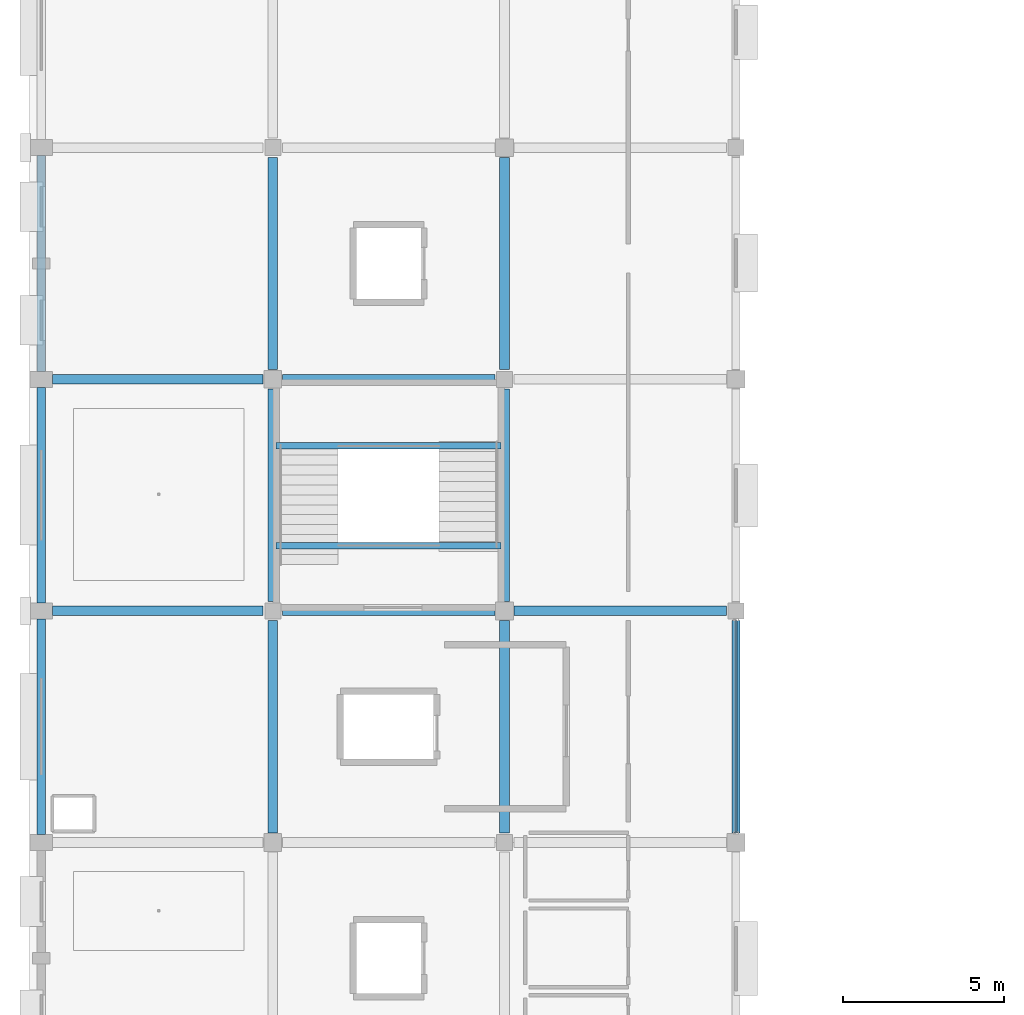
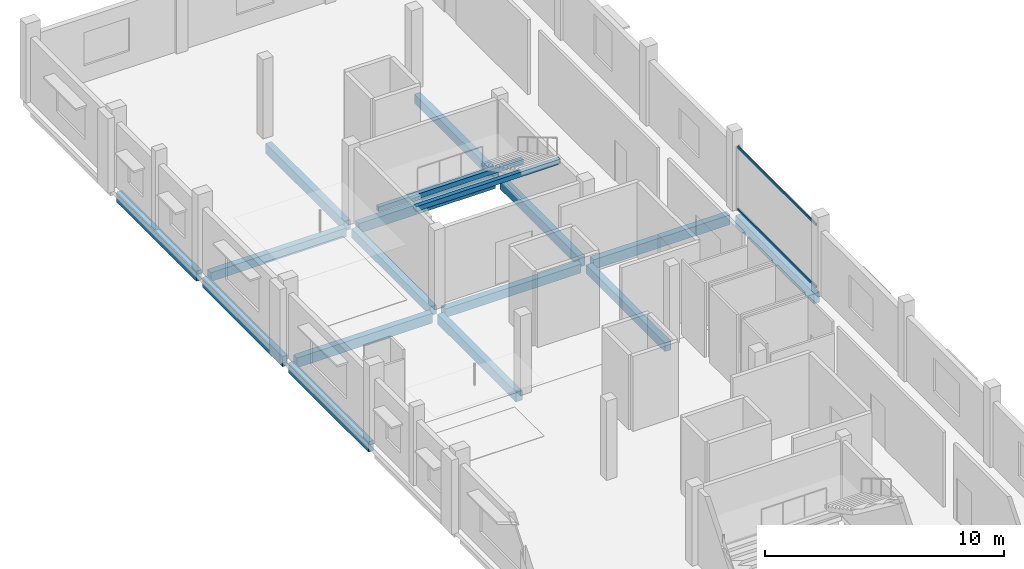
# One storey, part 3 of 15: 17 beams, 2 members, 1 element without a shape of its own.
"""IFC4 building model written with IfcOpenShell, lengths in metres."""

from ifc_helpers import new_model, si_unit, direction, frame, origin, origin_2d, place, context, subcontext, project, spatial, rectangle, hollow_rectangle, extrude, material, layer, layer_set, material_profile, profile_set, type_object, element, aggregate, save


model = new_model("IFC4")

# Units and contexts
model_context = context("Model", 3, precision=1e-05, world=origin(), true_north=direction((0.0, 1.0)))
body_context = subcontext(model_context, "Body", "Model", "MODEL_VIEW")
ifc_project = project(units=[si_unit("LENGTHUNIT", "METRE"), si_unit("AREAUNIT", "SQUARE_METRE"), si_unit("VOLUMEUNIT", "CUBIC_METRE"), si_unit("PLANEANGLEUNIT", "RADIAN"), si_unit("MASSUNIT", "GRAM", prefix="KILO")], contexts=[model_context])

# Site, building, storey
site_placement = place(None, origin())
site = spatial("IfcSite", under=ifc_project, at=site_placement, CompositionType="ELEMENT")
building_placement = place(site_placement, origin())
building = spatial("IfcBuilding", under=site, at=building_placement, Name="Kangsadwip Square Police Headquarters", CompositionType="ELEMENT")
storey_placement = place(building_placement, frame((0.0, 0.0, 29.699951171875)))
storey = spatial("IfcBuildingStorey", under=building, at=storey_placement, Name="L07", CompositionType="ELEMENT", Elevation=29.699951171875)

# Curtain wall, members
ifc_material_1 = material(Name="Thermally broken anodised aluminium AW-6063-T6", Category="aluminium")
ifc_layer = layer(ifc_material_1, 0.159912109375)
ifc_layer_set = layer_set([ifc_layer], Name="Thermally broken anodised aluminium AW-6063-T6")
curtain_wall_type = type_object("IfcCurtainWallType", Name="CourtScreen6685x3300", PredefinedType="USERDEFINED", material=ifc_layer_set)
curtain_wall_placement = place(storey_placement, origin())
curtain_wall = element("IfcCurtainWall", 1, at=curtain_wall_placement, inside=storey, type_object=curtain_wall_type, Name="Curtain Wall CW-L07-0216-0651", ObjectType="GLAZED_SCREEN", PredefinedType="USERDEFINED")
ifc_material_2 = material(Name="Thermally broken anodised aluminium AW-6063-T6", Category="aluminium")
ifc_material_profile_1 = material_profile(ifc_material_2, hollow_rectangle(XDim=0.06005859375, YDim=0.1201171875, WallThickness=0.00390625, at=origin_2d()), Name="CWT 120X60X4")
ifc_profile_set_1 = profile_set([ifc_material_profile_1], Name="Thermally broken anodised aluminium AW-6063-T6")
member_type = type_object("IfcMemberType", Name="CwTransom120x55", PredefinedType="USERDEFINED", material=ifc_profile_set_1)
member_1_placement = place(storey_placement, frame((21.60009765625, 65.1298828125, 0.06005859375), z_axis=(0.0, 1.0, 0.0), x_axis=(-1.0, 0.0, 0.0)))
member_1 = element("IfcMember", 2, at=member_1_placement, type_object=member_type, Name="CW-53 transom 1.1", ObjectType="TRANSOM", PredefinedType="USERDEFINED", context=body_context, shape_type="SweptSolid", body=[
    extrude(hollow_rectangle(XDim=0.06005859375, YDim=0.1201171875, WallThickness=0.00390625, at=origin_2d()), origin(), (0.0, 0.0, 1.0), 6.565185546875),
])
member_2_placement = place(storey_placement, frame((21.60009765625, 65.1298828125, 3.239990234375), z_axis=(0.0, 1.0, 0.0), x_axis=(-1.0, 0.0, 0.0)))
member_2 = element("IfcMember", 3, at=member_2_placement, type_object=member_type, Name="CW-53 transom 1.2", ObjectType="TRANSOM", PredefinedType="USERDEFINED", context=body_context, shape_type="SweptSolid", body=[
    extrude(hollow_rectangle(XDim=0.06005859375, YDim=0.1201171875, WallThickness=0.00390625, at=origin_2d()), origin(), (0.0, 0.0, 1.0), 6.565185546875),
])
aggregate(curtain_wall, [member_1, member_2])

# Beams
ifc_material_3 = material(Name="Concrete M35 (35 MPa)", Category="concrete")
ifc_material_profile_2 = material_profile(ifc_material_3, rectangle(XDim=0.300048828125, YDim=0.449951171875, at=origin_2d()), Name="RC BM 450X300")
ifc_profile_set_2 = profile_set([ifc_material_profile_2], Name="Concrete M35 (35 MPa)")
beam_type_1 = type_object("IfcBeamType", Name="RcBeam450x300", PredefinedType="BEAM", material=ifc_profile_set_2)
beam_1_placement = place(storey_placement, frame((7.5, 72.0, -0.445068359375), z_axis=(1.0, 0.0, 0.0), x_axis=(0.0, 1.0, 0.0)))
element("IfcBeam", 4, at=beam_1_placement, inside=storey, type_object=beam_type_1, Name="Beam BM-L07-X-01-10", PredefinedType="BEAM", context=body_context, shape_type="SweptSolid", body=[
    extrude(rectangle(XDim=0.300048828125, YDim=0.449951171875, at=origin_2d()), origin(), (0.0, 0.0, 1.0), 6.60009765625),
])
beam_2_placement = place(storey_placement, frame((0.35009765625, 79.199951171875, -0.445068359375), z_axis=(1.0, 0.0, 0.0), x_axis=(0.0, 1.0, 0.0)))
element("IfcBeam", 5, at=beam_2_placement, inside=storey, type_object=beam_type_1, Name="Beam BM-L07-X-00-11", PredefinedType="BEAM", context=body_context, shape_type="SweptSolid", body=[
    extrude(rectangle(XDim=0.300048828125, YDim=0.449951171875, at=origin_2d()), origin(), (0.0, 0.0, 1.0), 6.5498046875),
])
for number, where, z_axis, x_axis, name in (
    (6, (7.199951171875, 72.300048828125, -0.445068359375), (0.0, 1.0, 0.0), (-1.0, 0.0, 0.0), "Beam BM-L07-Y-01-10"),
    (7, (14.39990234375, 65.10009765625, -0.445068359375), (0.0, 1.0, 0.0), (-1.0, 0.0, 0.0), "Beam BM-L07-Y-02-09"),
):
    element("IfcBeam", number, at=place(storey_placement, frame(where, z_axis=z_axis, x_axis=x_axis)), inside=storey, type_object=beam_type_1, Name=name, PredefinedType="BEAM", context=body_context, shape_type="SweptSolid", body=[
        extrude(rectangle(XDim=0.300048828125, YDim=0.449951171875, at=origin_2d()), origin(), (0.0, 0.0, 1.0), 6.599853515625),
    ])
beam_3_placement = place(storey_placement, frame((14.39990234375, 79.5, -0.445068359375), z_axis=(0.0, 1.0, 0.0), x_axis=(-1.0, 0.0, 0.0)))
element("IfcBeam", 8, at=beam_3_placement, inside=storey, type_object=beam_type_1, Name="Beam BM-L07-Y-02-11", PredefinedType="BEAM", context=body_context, shape_type="SweptSolid", body=[
    extrude(rectangle(XDim=0.300048828125, YDim=0.449951171875, at=origin_2d()), origin(), (0.0, 0.0, 1.0), 6.60009765625),
])
ifc_material_4 = material(Name="Concrete M35 (35 MPa)", Category="concrete")
ifc_material_profile_3 = material_profile(ifc_material_4, rectangle(XDim=0.300048828125, YDim=0.5, at=origin_2d()), Name="RC BM 500X300")
ifc_profile_set_3 = profile_set([ifc_material_profile_3], Name="Concrete M35 (35 MPa)")
beam_type_2 = type_object("IfcBeamType", Name="RcBeam500x300", PredefinedType="BEAM", material=ifc_profile_set_3)
beam_4_placement = place(storey_placement, frame((0.35009765625, 72.0, -0.469970703125), z_axis=(1.0, 0.0, 0.0), x_axis=(0.0, 1.0, 0.0)))
element("IfcBeam", 9, at=beam_4_placement, inside=storey, type_object=beam_type_2, Name="Beam BM-L07-X-00-10", PredefinedType="BEAM", context=body_context, shape_type="SweptSolid", body=[
    extrude(rectangle(XDim=0.300048828125, YDim=0.5, at=origin_2d()), origin(), (0.0, 0.0, 1.0), 6.5498046875),
])
for number, where, z_axis, x_axis, name in (
    (10, (14.699951171875, 72.0, -0.469970703125), (1.0, 0.0, 0.0), (0.0, 1.0, 0.0), "Beam BM-L07-X-02-10"),
    (11, (7.5, 79.199951171875, -0.469970703125), (1.0, 0.0, 0.0), (0.0, 1.0, 0.0), "Beam BM-L07-X-01-11"),
):
    element("IfcBeam", number, at=place(storey_placement, frame(where, z_axis=z_axis, x_axis=x_axis)), inside=storey, type_object=beam_type_2, Name=name, PredefinedType="BEAM", context=body_context, shape_type="SweptSolid", body=[
        extrude(rectangle(XDim=0.300048828125, YDim=0.5, at=origin_2d()), origin(), (0.0, 0.0, 1.0), 6.60009765625),
    ])
beam_5_placement = place(storey_placement, frame((7.199951171875, 65.10009765625, -0.469970703125), z_axis=(0.0, 1.0, 0.0), x_axis=(-1.0, 0.0, 0.0)))
element("IfcBeam", 12, at=beam_5_placement, inside=storey, type_object=beam_type_2, Name="Beam BM-L07-Y-01-09", PredefinedType="BEAM", context=body_context, shape_type="SweptSolid", body=[
    extrude(rectangle(XDim=0.300048828125, YDim=0.5, at=origin_2d()), origin(), (0.0, 0.0, 1.0), 6.599853515625),
])
beam_6_placement = place(storey_placement, frame((7.199951171875, 79.5, -0.469970703125), z_axis=(0.0, 1.0, 0.0), x_axis=(-1.0, 0.0, 0.0)))
element("IfcBeam", 13, at=beam_6_placement, inside=storey, type_object=beam_type_2, Name="Beam BM-L07-Y-01-11", PredefinedType="BEAM", context=body_context, shape_type="SweptSolid", body=[
    extrude(rectangle(XDim=0.300048828125, YDim=0.5, at=origin_2d()), origin(), (0.0, 0.0, 1.0), 6.60009765625),
])
beam_7_placement = place(storey_placement, frame((14.39990234375, 72.300048828125, -0.469970703125), z_axis=(0.0, 1.0, 0.0), x_axis=(-1.0, 0.0, 0.0)))
element("IfcBeam", 14, at=beam_7_placement, inside=storey, type_object=beam_type_2, Name="Beam BM-L07-Y-02-10", PredefinedType="BEAM", context=body_context, shape_type="SweptSolid", body=[
    extrude(rectangle(XDim=0.300048828125, YDim=0.5, at=origin_2d()), origin(), (0.0, 0.0, 1.0), 6.599853515625),
])
ifc_material_5 = material(Name="Concrete M30 (30 MPa)", Category="concrete")
ifc_material_profile_4 = material_profile(ifc_material_5, rectangle(XDim=0.199951171875, YDim=0.25, at=origin_2d()), Name="RC LNT 250X200")
ifc_profile_set_4 = profile_set([ifc_material_profile_4], Name="Concrete M30 (30 MPa)")
beam_type_3 = type_object("IfcBeamType", Name="RcLintel250x200", PredefinedType="LINTEL", material=ifc_profile_set_4)
for number, where, z_axis, x_axis, name in (
    (15, (7.300048828125, 77.139892578125, 1.801025390625), (1.0, 0.0, 0.0), (0.0, 1.0, 0.0), "Stair Carriage and Landing Beam BM-ST-L07-037"),
    (16, (7.300048828125, 74.02001953125, 3.705078125), (1.0, 0.0, 0.0), (0.0, 1.0, 0.0), "Stair Carriage and Landing Beam BM-ST-L07-038"),
):
    element("IfcBeam", number, at=place(storey_placement, frame(where, z_axis=z_axis, x_axis=x_axis)), inside=storey, type_object=beam_type_3, Name=name, PredefinedType="BEAM", context=body_context, shape_type="SweptSolid", body=[
        extrude(rectangle(XDim=0.199951171875, YDim=0.25, at=origin_2d()), origin(), (0.0, 0.0, 1.0), 7.0),
    ])
ifc_material_6 = material(Name="Concrete M35 (35 MPa)", Category="concrete")
ifc_material_profile_5 = material_profile(ifc_material_6, rectangle(XDim=0.25, YDim=0.52001953125, at=origin_2d()), Name="RC SPN 520X250")
ifc_profile_set_5 = profile_set([ifc_material_profile_5], Name="Concrete M35 (35 MPa)")
beam_type_4 = type_object("IfcBeamType", Name="RcSpandrel520x250", PredefinedType="SPANDREL", material=ifc_profile_set_5)
for number, where, z_axis, x_axis, name in (
    (17, (0.0, 65.050048828125, -0.47998046875), (0.0, 1.0, 0.0), (-1.0, 0.0, 0.0), "Beam BM-L07-Y-00-09"),
    (18, (0.0, 72.25, -0.47998046875), (0.0, 1.0, 0.0), (-1.0, 0.0, 0.0), "Beam BM-L07-Y-00-10"),
    (19, (0.0, 79.449951171875, -0.47998046875), (0.0, 1.0, 0.0), (-1.0, 0.0, 0.0), "Beam BM-L07-Y-00-11"),
):
    element("IfcBeam", number, at=place(storey_placement, frame(where, z_axis=z_axis, x_axis=x_axis)), inside=storey, type_object=beam_type_4, Name=name, PredefinedType="SPANDREL", context=body_context, shape_type="SweptSolid", body=[
        extrude(rectangle(XDim=0.25, YDim=0.52001953125, at=origin_2d()), origin(), (0.0, 0.0, 1.0), 6.699951171875),
    ])
beam_8_placement = place(storey_placement, frame((21.60009765625, 65.10009765625, -0.47998046875), z_axis=(0.0, 1.0, 0.0), x_axis=(-1.0, 0.0, 0.0)))
element("IfcBeam", 20, at=beam_8_placement, inside=storey, type_object=beam_type_4, Name="Beam BM-L07-Y-03-09", PredefinedType="SPANDREL", context=body_context, shape_type="SweptSolid", body=[
    extrude(rectangle(XDim=0.25, YDim=0.52001953125, at=origin_2d()), origin(), (0.0, 0.0, 1.0), 6.599853515625),
])

save(model, "model.ifc")
